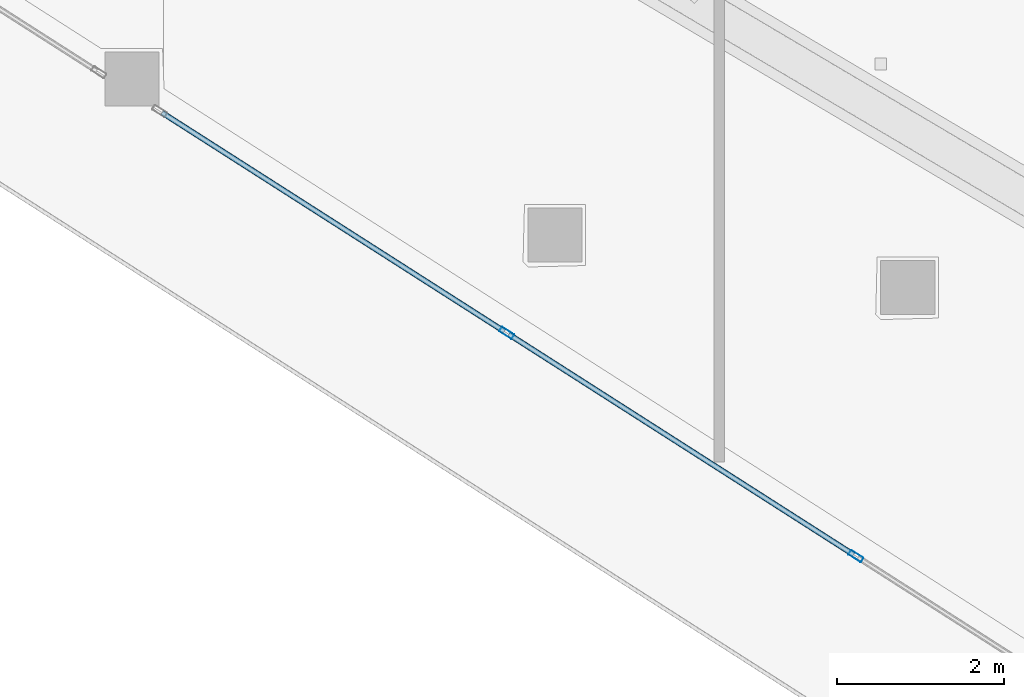
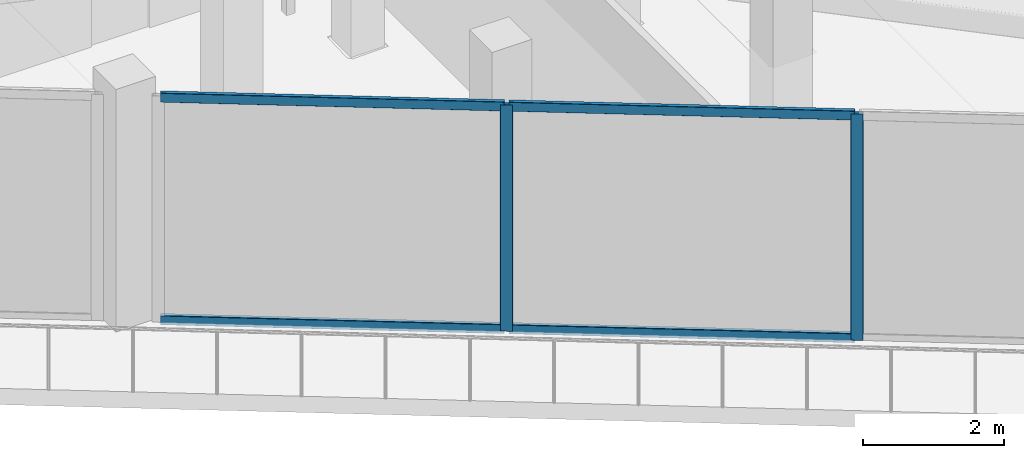
# One storey, part 2 of 45: 6 members, 1 element without a shape of its own.
"""IFC4 building model written with IfcOpenShell, lengths in metres."""

from ifc_helpers import new_model, si_unit, direction, frame, origin, origin_2d, place, context, subcontext, project, spatial, hollow_rectangle, extrude, material, layer, layer_set, material_profile, profile_set, type_object, element, aggregate, save


model = new_model("IFC4")

# Units and contexts
model_context = context("Model", 3, precision=1e-05, world=origin(), true_north=direction((0.0, 1.0)))
body_context = subcontext(model_context, "Body", "Model", "MODEL_VIEW")
ifc_project = project(units=[si_unit("LENGTHUNIT", "METRE"), si_unit("AREAUNIT", "SQUARE_METRE"), si_unit("VOLUMEUNIT", "CUBIC_METRE"), si_unit("PLANEANGLEUNIT", "RADIAN"), si_unit("MASSUNIT", "GRAM", prefix="KILO")], contexts=[model_context])

# Site, building, storey
site_placement = place(None, origin())
site = spatial("IfcSite", under=ifc_project, at=site_placement, CompositionType="ELEMENT")
building_placement = place(site_placement, origin())
building = spatial("IfcBuilding", under=site, at=building_placement, Name="Qorvath Tower", CompositionType="ELEMENT")
storey_placement = place(building_placement, frame((0.0, 0.0, 49.199951171875)))
storey = spatial("IfcBuildingStorey", under=building, at=storey_placement, Name="L10", CompositionType="ELEMENT", Elevation=49.199951171875)

# Curtain wall, members
ifc_material_1 = material(Name="Anodised aluminium and triple low-E glass", Category="aluminium")
ifc_layer = layer(ifc_material_1, 0.179931640625)
ifc_layer_set = layer_set([ifc_layer], Name="CW-SYS-2")
curtain_wall_type = type_object("IfcCurtainWallType", Name="CW-SYS-2", PredefinedType="NOTDEFINED", material=ifc_layer_set)
curtain_wall_placement = place(storey_placement, origin())
curtain_wall = element("IfcCurtainWall", 1, at=curtain_wall_placement, inside=storey, type_object=curtain_wall_type, Name="Curtain Wall CW-2 CW-T-L10-2.2", PredefinedType="NOTDEFINED")
ifc_material_2 = material(Name="Anodised aluminium 6063-T6", Category="aluminium")
ifc_material_profile_1 = material_profile(ifc_material_2, hollow_rectangle(XDim=0.06494140625, YDim=0.179931640625, WallThickness=0.00341796875, InnerFilletRadius=0.00341796875, OuterFilletRadius=0.007080078125, at=origin_2d()), Name="CWM 180x65")
ifc_profile_set_1 = profile_set([ifc_material_profile_1], Name="Anodised aluminium 6063-T6")
member_type_1 = type_object("IfcMemberType", Name="CWM-180", PredefinedType="MULLION", material=ifc_profile_set_1)
member_1_placement = place(storey_placement, frame((-35.832763671875, -20.006103515625, 0.0), z_axis=(0.0, 0.0, 1.0), x_axis=(0.538536571861, 0.842602136698, 0.0)))
member_1 = element("IfcMember", 2, at=member_1_placement, type_object=member_type_1, Name="CW-2 mullion 2", PredefinedType="MULLION", context=body_context, shape_type="SweptSolid", body=[
    extrude(hollow_rectangle(XDim=0.06494140625, YDim=0.179931640625, WallThickness=0.00341796875, InnerFilletRadius=0.00341796875, OuterFilletRadius=0.007080078125, at=origin_2d()), origin(), (0.0, 0.0, 1.0), 3.920166015625),
])
member_2_placement = place(storey_placement, frame((-31.63916015625, -22.6865234375, 0.0), z_axis=(0.0, 0.0, 1.0), x_axis=(0.538536571861, 0.842602136698, 0.0)))
member_2 = element("IfcMember", 3, at=member_2_placement, type_object=member_type_1, Name="CW-2 mullion 3", PredefinedType="MULLION", context=body_context, shape_type="SweptSolid", body=[
    extrude(hollow_rectangle(XDim=0.06494140625, YDim=0.179931640625, WallThickness=0.00341796875, InnerFilletRadius=0.00341796875, OuterFilletRadius=0.007080078125, at=origin_2d()), origin(), (0.0, 0.0, 1.0), 3.920166015625),
])
ifc_material_3 = material(Name="Anodised aluminium 6063-T6", Category="aluminium")
ifc_material_profile_2 = material_profile(ifc_material_3, hollow_rectangle(XDim=0.06494140625, YDim=0.159912109375, WallThickness=0.00341796875, InnerFilletRadius=0.00341796875, OuterFilletRadius=0.007080078125, at=origin_2d()), Name="CWT 160x65")
ifc_profile_set_2 = profile_set([ifc_material_profile_2], Name="Anodised aluminium 6063-T6")
member_type_2 = type_object("IfcMemberType", Name="CWT-160", PredefinedType="USERDEFINED", material=ifc_profile_set_2)
member_3_placement = place(storey_placement, frame((-39.971923828125, -17.360595703125, 0.032470703125), z_axis=(0.842609237317, -0.538525461969, 0.0), x_axis=(0.538525461969, 0.842609237317, 0.0)))
member_3 = element("IfcMember", 4, at=member_3_placement, type_object=member_type_2, Name="CW-2 transom 1.1", ObjectType="TRANSOM", PredefinedType="USERDEFINED", context=body_context, shape_type="SweptSolid", body=[
    extrude(hollow_rectangle(XDim=0.06494140625, YDim=0.159912109375, WallThickness=0.00341796875, InnerFilletRadius=0.00341796875, OuterFilletRadius=0.007080078125, at=origin_2d()), origin(), (0.0, 0.0, 1.0), 4.8798828125),
])
member_4_placement = place(storey_placement, frame((-39.971923828125, -17.360595703125, 3.8876953125), z_axis=(0.842609237317, -0.538525461969, 0.0), x_axis=(0.538525461969, 0.842609237317, 0.0)))
member_4 = element("IfcMember", 5, at=member_4_placement, type_object=member_type_2, Name="CW-2 transom 1.2", ObjectType="TRANSOM", PredefinedType="USERDEFINED", context=body_context, shape_type="SweptSolid", body=[
    extrude(hollow_rectangle(XDim=0.06494140625, YDim=0.159912109375, WallThickness=0.00341796875, InnerFilletRadius=0.00341796875, OuterFilletRadius=0.007080078125, at=origin_2d()), origin(), (0.0, 0.0, 1.0), 4.8798828125),
])
member_5_placement = place(storey_placement, frame((-35.805419921875, -20.023681640625, 0.032470703125), z_axis=(0.84260792766, -0.538527511131, 0.0), x_axis=(0.538527511131, 0.84260792766, 0.0)))
member_5 = element("IfcMember", 6, at=member_5_placement, type_object=member_type_2, Name="CW-2 transom 2.1", ObjectType="TRANSOM", PredefinedType="USERDEFINED", context=body_context, shape_type="SweptSolid", body=[
    extrude(hollow_rectangle(XDim=0.06494140625, YDim=0.159912109375, WallThickness=0.00341796875, InnerFilletRadius=0.00341796875, OuterFilletRadius=0.007080078125, at=origin_2d()), origin(), (0.0, 0.0, 1.0), 4.912109375),
])
member_6_placement = place(storey_placement, frame((-35.805419921875, -20.023681640625, 3.8876953125), z_axis=(0.84260792766, -0.538527511131, 0.0), x_axis=(0.538527511131, 0.84260792766, 0.0)))
member_6 = element("IfcMember", 7, at=member_6_placement, type_object=member_type_2, Name="CW-2 transom 2.2", ObjectType="TRANSOM", PredefinedType="USERDEFINED", context=body_context, shape_type="SweptSolid", body=[
    extrude(hollow_rectangle(XDim=0.06494140625, YDim=0.159912109375, WallThickness=0.00341796875, InnerFilletRadius=0.00341796875, OuterFilletRadius=0.007080078125, at=origin_2d()), origin(), (0.0, 0.0, 1.0), 4.912109375),
])
aggregate(curtain_wall, [member_1, member_2, member_3, member_4, member_5, member_6])

save(model, "model.ifc")
